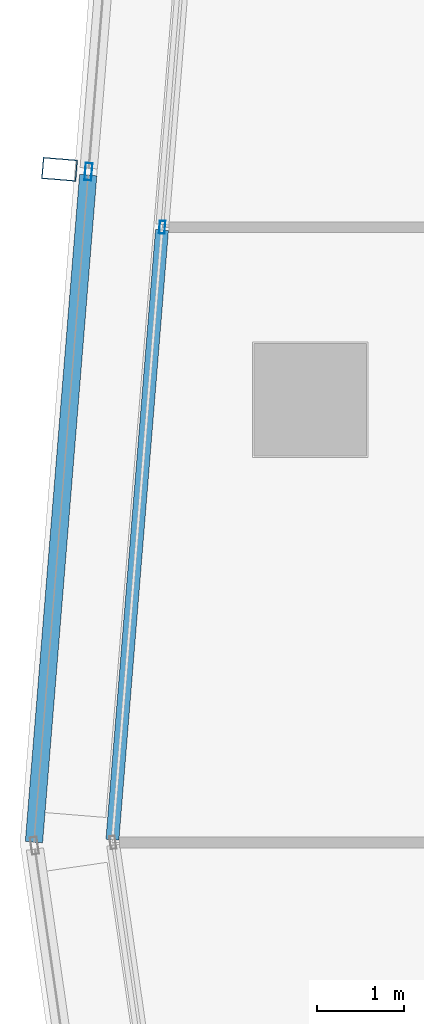
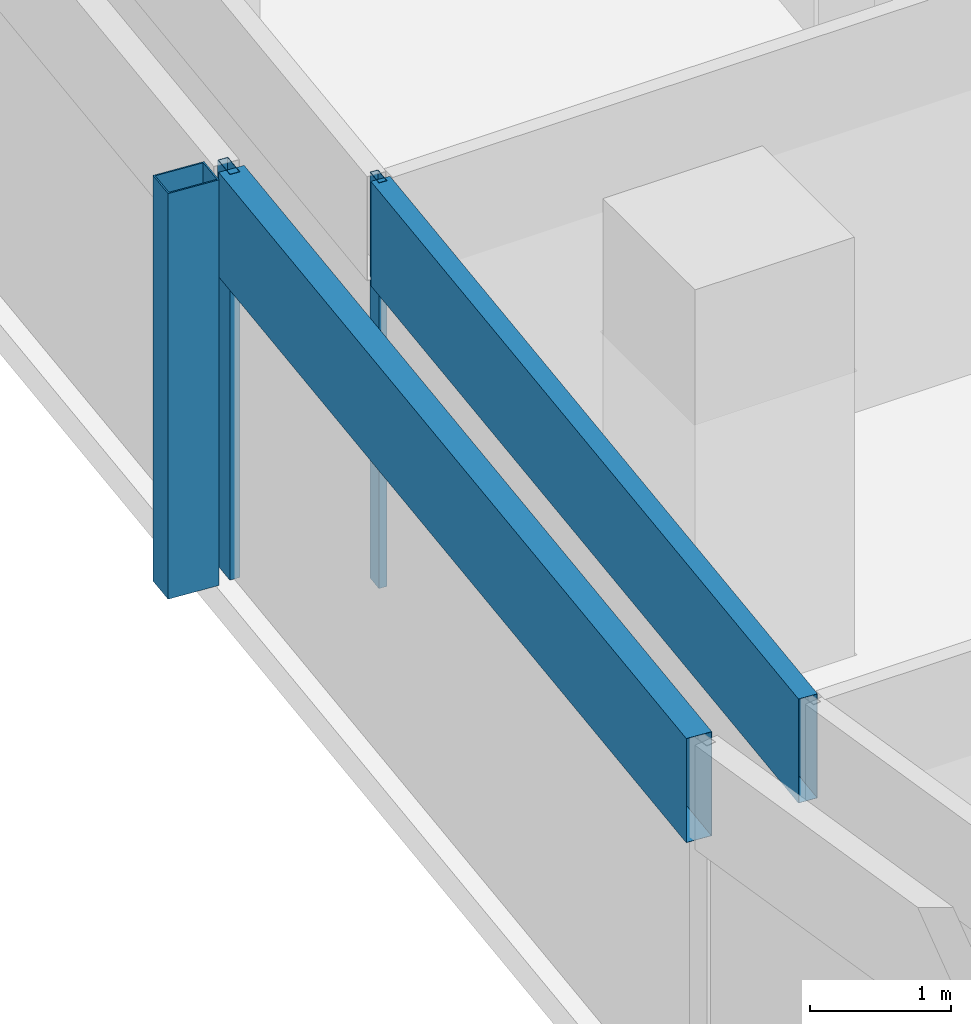
# One storey, part 7 of 29: 5 members, 2 elements without a shape of their own.
"""IFC4 building model written with IfcOpenShell, lengths in metres."""

from ifc_helpers import new_model, si_unit, direction, frame, origin, origin_2d, place, context, subcontext, project, spatial, hollow_rectangle, extrude, material, material_profile, profile_set, type_object, element, aggregate, save


model = new_model("IFC4")

# Units and contexts
model_context = context("Model", 3, precision=1e-05, world=origin(), true_north=direction((0.0, 1.0)))
body_context = subcontext(model_context, "Body", "Model", "MODEL_VIEW")
ifc_project = project(units=[si_unit("LENGTHUNIT", "METRE"), si_unit("AREAUNIT", "SQUARE_METRE"), si_unit("VOLUMEUNIT", "CUBIC_METRE"), si_unit("PLANEANGLEUNIT", "RADIAN"), si_unit("MASSUNIT", "GRAM", prefix="KILO")], contexts=[model_context])

# Site, building, storey
site_placement = place(None, origin())
site = spatial("IfcSite", under=ifc_project, at=site_placement, CompositionType="ELEMENT")
building_placement = place(site_placement, origin())
building = spatial("IfcBuilding", under=site, at=building_placement, Name="Rekha Terrace Tower", CompositionType="ELEMENT")
storey_placement = place(building_placement, frame((0.0, 0.0, 276.35009765625)))
storey = spatial("IfcBuildingStorey", under=building, at=storey_placement, Name="L70", CompositionType="ELEMENT", Elevation=276.35009765625)

# Curtain wall, member
ifc_material_1 = material(Name="Aluminium framing", Category="aluminium")
curtain_wall_type_1 = type_object("IfcCurtainWallType", Name="CW2 double skin outer glazing", PredefinedType="USERDEFINED", material=ifc_material_1)
curtain_wall_1_placement = place(storey_placement, origin())
curtain_wall_1 = element("IfcCurtainWall", 1, at=curtain_wall_1_placement, inside=storey, type_object=curtain_wall_type_1, Name="CW2 double skin outer glazing", ObjectType="DOUBLE SKIN OUTER GLAZING", PredefinedType="USERDEFINED")
ifc_material_2 = material(Name="Steel S355 with fluorocarbon finish", Category="steel")
ifc_material_profile_1 = material_profile(ifc_material_2, hollow_rectangle(XDim=0.25, YDim=0.39990234375, WallThickness=0.012451171875, at=origin_2d()), Name="RHS400x250x12.5")
ifc_profile_set_1 = profile_set([ifc_material_profile_1], Name="Steel S355 with fluorocarbon finish")
member_type_1 = type_object("IfcMemberType", Name="BL1 facade blade RHS 400 x 250", PredefinedType="USERDEFINED", material=ifc_profile_set_1)
member_1_placement = place(storey_placement, frame((5.506103515625, 36.257568359375, 0.0), z_axis=(0.0, 0.0, 1.0), x_axis=(-0.081068747348, -0.996708512156, 0.0)))
member_1 = element("IfcMember", 2, at=member_1_placement, type_object=member_type_1, Name="Facade blade", ObjectType="FACADE BLADE", PredefinedType="USERDEFINED", context=body_context, shape_type="SweptSolid", body=[
    extrude(hollow_rectangle(XDim=0.25, YDim=0.39990234375, WallThickness=0.012451171875, at=origin_2d()), origin(), (0.0, 0.0, 1.0), 3.5),
])

# Curtain wall, members
curtain_wall_type_2 = type_object("IfcCurtainWallType", Name="CW1 double skin inner glazing", PredefinedType="USERDEFINED", material=ifc_material_1)
curtain_wall_2_placement = place(storey_placement, origin())
curtain_wall_2 = element("IfcCurtainWall", 3, at=curtain_wall_2_placement, inside=storey, type_object=curtain_wall_type_2, Name="CW1 double skin inner glazing", ObjectType="DOUBLE SKIN INNER GLAZING", PredefinedType="USERDEFINED")
ifc_material_3 = material(Name="Aluminium mullion section", Category="aluminium")
ifc_material_profile_2 = material_profile(ifc_material_3, hollow_rectangle(XDim=0.06494140625, YDim=0.14990234375, WallThickness=0.00390625, at=origin_2d()), Name="AL RHS 65x150")
ifc_profile_set_2 = profile_set([ifc_material_profile_2], Name="Aluminium mullion section")
member_type_2 = type_object("IfcMemberType", Name="CW1 mullion RHS 65 x 150", PredefinedType="MULLION", material=ifc_profile_set_2)
member_2_placement = place(storey_placement, frame((6.69091796875, 35.58984375, 0.0), z_axis=(0.0, 0.0, 1.0), x_axis=(0.996708580524, -0.081067906781, 0.0)))
member_2 = element("IfcMember", 4, at=member_2_placement, type_object=member_type_2, Name="CW1 mullion 3", PredefinedType="MULLION", context=body_context, shape_type="SweptSolid", body=[
    extrude(hollow_rectangle(XDim=0.06494140625, YDim=0.14990234375, WallThickness=0.00390625, at=origin_2d()), origin(), (0.0, 0.0, 1.0), 3.5),
])
ifc_material_4 = material(Name="Insulated aluminium spandrel box", Category="aluminium")
ifc_material_profile_3 = material_profile(ifc_material_4, hollow_rectangle(XDim=0.14990234375, YDim=0.89990234375, WallThickness=0.0029296875, at=origin_2d()), Name="AL SPANDREL BOX 150x900")
ifc_profile_set_3 = profile_set([ifc_material_profile_3], Name="Insulated aluminium spandrel box")
member_type_3 = type_object("IfcMemberType", Name="CW1 spandrel transom 150 x 900", PredefinedType="USERDEFINED", material=ifc_profile_set_3)
member_3_placement = place(storey_placement, frame((6.688232421875, 35.557373046875, 3.0498046875), z_axis=(-0.081052724461, -0.996709815271, 0.0), x_axis=(0.996709815271, -0.081052724461, 0.0)))
member_3 = element("IfcMember", 5, at=member_3_placement, type_object=member_type_3, Name="CW1 spandrel transom 3", ObjectType="TRANSOM", PredefinedType="USERDEFINED", context=body_context, shape_type="SweptSolid", body=[
    extrude(hollow_rectangle(XDim=0.14990234375, YDim=0.89990234375, WallThickness=0.0029296875, at=origin_2d()), origin(), (0.0, 0.0, 1.0), 7.057373046875),
])
aggregate(curtain_wall_2, [member_2, member_3])

# Member
ifc_material_profile_4 = material_profile(ifc_material_3, hollow_rectangle(XDim=0.080078125, YDim=0.199951171875, WallThickness=0.00390625, at=origin_2d()), Name="AL RHS 80x200")
ifc_profile_set_4 = profile_set([ifc_material_profile_4], Name="Aluminium mullion section")
member_type_4 = type_object("IfcMemberType", Name="CW2 mullion RHS 80 x 200", PredefinedType="MULLION", material=ifc_profile_set_4)
member_4_placement = place(storey_placement, frame((5.840087890625, 36.23046875, 0.0), z_axis=(0.0, 0.0, 1.0), x_axis=(0.996708580521, -0.081067906816, 0.0)))
member_4 = element("IfcMember", 6, at=member_4_placement, type_object=member_type_4, Name="CW2 mullion 3", PredefinedType="MULLION", context=body_context, shape_type="SweptSolid", body=[
    extrude(hollow_rectangle(XDim=0.080078125, YDim=0.199951171875, WallThickness=0.00390625, at=origin_2d()), origin(), (0.0, 0.0, 1.0), 3.5),
])

ifc_material_profile_5 = material_profile(ifc_material_4, hollow_rectangle(XDim=0.199951171875, YDim=0.89990234375, WallThickness=0.0029296875, at=origin_2d()), Name="AL SPANDREL BOX 200x900")
ifc_profile_set_5 = profile_set([ifc_material_profile_5], Name="Insulated aluminium spandrel box")
member_type_5 = type_object("IfcMemberType", Name="CW2 spandrel transom 200 x 900", PredefinedType="USERDEFINED", material=ifc_profile_set_5)
member_5_placement = place(storey_placement, frame((5.8369140625, 36.190673828125, 3.0498046875), z_axis=(-0.08107481866, -0.996708018318, 0.0), x_axis=(0.996708018318, -0.08107481866, 0.0)))
member_5 = element("IfcMember", 7, at=member_5_placement, type_object=member_type_5, Name="CW2 spandrel transom 3", ObjectType="TRANSOM", PredefinedType="USERDEFINED", context=body_context, shape_type="SweptSolid", body=[
    extrude(hollow_rectangle(XDim=0.199951171875, YDim=0.89990234375, WallThickness=0.0029296875, at=origin_2d()), origin(), (0.0, 0.0, 1.0), 7.720947265625),
])

aggregate(curtain_wall_1, [member_4, member_5, member_1])

save(model, "model.ifc")
